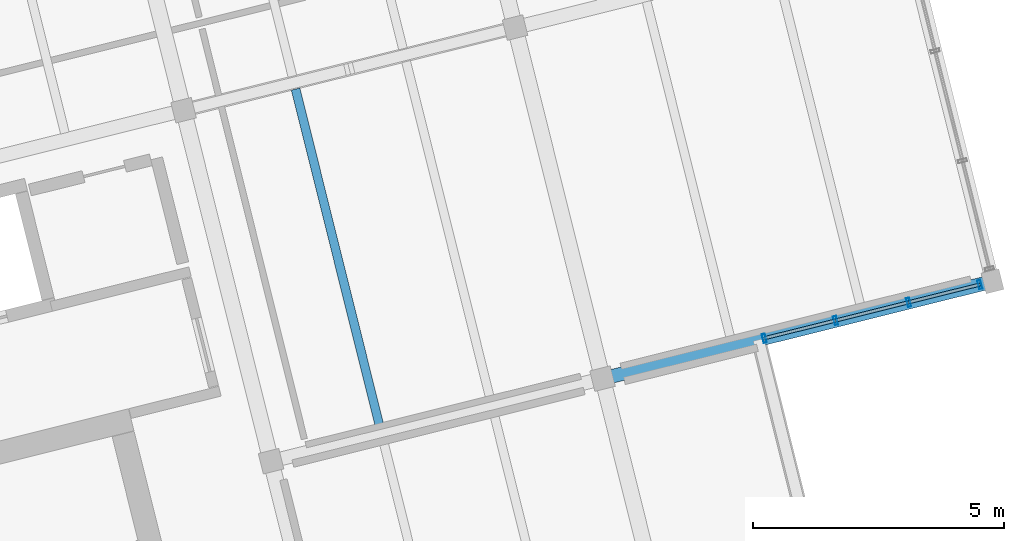
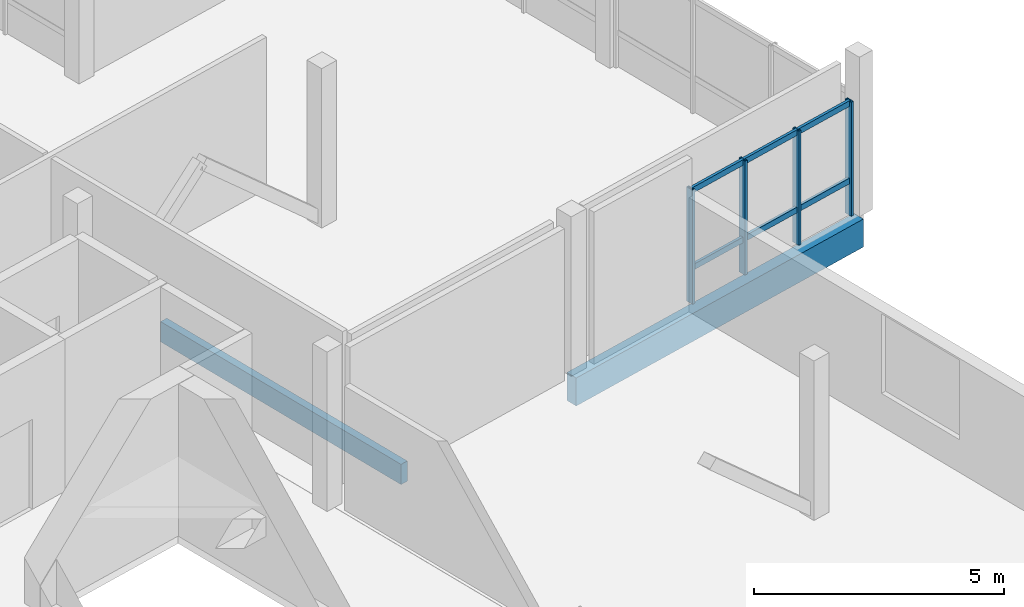
# One storey, part 13 of 27: 10 members, 2 beams, 1 element without a shape of its own.
"""IFC4 building model written with IfcOpenShell, lengths in metres."""

import ifcopenshell
import ifcopenshell.guid

model = None  # the IFC model being written
_history = None  # IfcOwnerHistory: only IFC2X3 demands one
_inside = {}  # id of a spatial element -> (the spatial element, [elements in it])
_under = {}  # id of a project, library or spatial element -> (it, [spatial elements below it])
_declared = {}  # id of a project -> (the project, [libraries it declares])
_typed = {}  # id of a type object -> (the type object, [elements of that type])
_made_of = {}  # id of a material, layer set ... -> (it, [elements and type objects made of it])


def new_model(schema):
    """Start an empty IFC model of exactly this schema.

    Asked for "IFC4X3", IfcOpenShell would pick the latest addendum, in which some entities
    have other attributes; the version numbers below select the first issue.
    IFC2X3 requires an IfcOwnerHistory on every rooted entity: one is made here for all.
    """
    global model, _history
    if schema == "IFC4X3":
        model = ifcopenshell.file(schema_version=(4, 3, 0, 0))
    else:
        model = ifcopenshell.file(schema=schema)
    _inside.clear()
    _under.clear()
    _declared.clear()
    _typed.clear()
    _made_of.clear()
    _history = None
    if model.schema == "IFC2X3":
        org = make("IfcOrganization", Name="unknown")
        user = make(
            "IfcPersonAndOrganization",
            ThePerson=make("IfcPerson", FamilyName="unknown"),
            TheOrganization=org,
        )
        app = make(
            "IfcApplication",
            ApplicationDeveloper=org,
            Version="unknown",
            ApplicationFullName="unknown",
            ApplicationIdentifier="unknown",
        )
        _history = make(
            "IfcOwnerHistory",
            OwningUser=user,
            OwningApplication=app,
            ChangeAction="ADDED",
            CreationDate=0,
        )
    return model


def make(cls, **values):
    """One entity of the class cls with the attributes given. An attribute that is None is left unset."""
    return model.create_entity(
        cls, **{name: value for name, value in values.items() if value is not None}
    )


def rooted(cls, **values):
    """An entity with a GlobalId (a new one), such as an element, a storey or a relation."""
    return make(cls, GlobalId=ifcopenshell.guid.new(), OwnerHistory=_history, **values)


def si_unit(unit_type, name, prefix=None):
    """IfcSIUnit, for example si_unit("LENGTHUNIT", "METRE", prefix="MILLI")."""
    return make("IfcSIUnit", UnitType=unit_type, Prefix=prefix, Name=name)


def assignment(units):
    """IfcUnitAssignment: the units of a project."""
    return None if units is None else make("IfcUnitAssignment", Units=units)


def point(xyz):
    """IfcCartesianPoint."""
    return None if xyz is None else make("IfcCartesianPoint", Coordinates=xyz)


def direction(xyz):
    """IfcDirection."""
    return None if xyz is None else make("IfcDirection", DirectionRatios=xyz)


def frame(location, z_axis=None, x_axis=None):
    """IfcAxis2Placement3D, a coordinate frame: its origin and axes. An axis left out is left unset."""
    return make(
        "IfcAxis2Placement3D",
        Location=point(location),
        Axis=direction(z_axis),
        RefDirection=direction(x_axis),
    )


def frame_2d(location, x_axis=None):
    """IfcAxis2Placement2D, a coordinate frame in the plane: its origin and x axis."""
    return make(
        "IfcAxis2Placement2D", Location=point(location), RefDirection=direction(x_axis)
    )


def origin():
    """The frame at (0, 0, 0) with its axes left unset."""
    return frame((0.0, 0.0, 0.0))


def origin_2d():
    """The frame at (0, 0) in the plane with its x axis left unset."""
    return frame_2d((0.0, 0.0))


def place(relative_to, where):
    """IfcLocalPlacement: puts the frame where relative to a parent placement (None: the world)."""
    return make(
        "IfcLocalPlacement", PlacementRelTo=relative_to, RelativePlacement=where
    )


def context(
    kind, dimensions, precision=None, world=None, true_north=None, identifier=None
):
    """IfcGeometricRepresentationContext, for example the 3D "Model" context."""
    return make(
        "IfcGeometricRepresentationContext",
        ContextIdentifier=identifier,
        ContextType=kind,
        CoordinateSpaceDimension=dimensions,
        Precision=precision,
        WorldCoordinateSystem=world,
        TrueNorth=true_north,
    )


def subcontext(parent, identifier, kind, view, scale=None):
    """IfcGeometricRepresentationSubContext, for example "Body" below "Model"."""
    return make(
        "IfcGeometricRepresentationSubContext",
        ContextIdentifier=identifier,
        ContextType=kind,
        ParentContext=parent,
        TargetScale=scale,
        TargetView=view,
    )


def project(units=None, contexts=None):
    """IfcProject with its units and contexts."""
    return rooted(
        "IfcProject",
        Name="project",
        RepresentationContexts=contexts,
        UnitsInContext=assignment(units),
    )


def spatial(cls, under=None, at=None, **own):
    """A site, building, storey or space (cls), placed at a placement, below another one or the project."""
    s = rooted(cls, ObjectPlacement=at, **own)
    if under is not None:
        _under.setdefault(under.id(), (under, []))[1].append(s)
    return s


def profile(cls, at=None, kind="AREA", **sizes):
    """A parametric profile (cls). Its sizes go by their IFC names, for example OverallWidth=200.0."""
    return make(cls, ProfileType=kind, Position=at, **sizes)


def rectangle(**sizes):
    """IfcRectangleProfileDef."""
    return profile("IfcRectangleProfileDef", **sizes)


def hollow_rectangle(**sizes):
    """IfcRectangleHollowProfileDef."""
    return profile("IfcRectangleHollowProfileDef", **sizes)


def extrude(swept, where, along, depth):
    """IfcExtrudedAreaSolid: the profile swept, set in the frame where, extruded along a direction by depth."""
    return make(
        "IfcExtrudedAreaSolid",
        SweptArea=swept,
        Position=where,
        ExtrudedDirection=direction(along),
        Depth=depth,
    )


def shape(context_of_items, identifier, shape_type, items):
    """IfcShapeRepresentation: the items that make up one representation, for example the "Body"."""
    return make(
        "IfcShapeRepresentation",
        ContextOfItems=context_of_items,
        RepresentationIdentifier=identifier,
        RepresentationType=shape_type,
        Items=items,
    )


def material(Name=None, Category=None):
    """IfcMaterial."""
    return make("IfcMaterial", Name=Name, Category=Category)


def layer(
    of_material, thickness, ventilated=None, Name=None, Category=None, Priority=None
):
    """IfcMaterialLayer: one layer of a wall or slab, of a material (None: an air gap)."""
    return make(
        "IfcMaterialLayer",
        Material=of_material,
        LayerThickness=thickness,
        IsVentilated=ventilated,
        Name=Name,
        Category=Category,
        Priority=Priority,
    )


def layer_set(layers, Name=None):
    """IfcMaterialLayerSet."""
    return make("IfcMaterialLayerSet", MaterialLayers=layers, LayerSetName=Name)


def material_profile(
    of_material, cross_section, Name=None, Category=None, Priority=None
):
    """IfcMaterialProfile: a cross section and its material."""
    return make(
        "IfcMaterialProfile",
        Name=Name,
        Material=of_material,
        Profile=cross_section,
        Priority=Priority,
        Category=Category,
    )


def profile_set(profiles, Name=None, composite=None):
    """IfcMaterialProfileSet."""
    return make(
        "IfcMaterialProfileSet",
        Name=Name,
        MaterialProfiles=profiles,
        CompositeProfile=composite,
    )


def made_of(thing, what):
    """Note that an element or type object is made of a material, layer set ...; save() writes the relation."""
    if what is not None:
        _made_of.setdefault(what.id(), (what, []))[1].append(thing)
    return thing


def type_object(cls, material=None, **own):
    """A type object (cls), such as IfcWallType, which elements share."""
    return made_of(rooted(cls, **own), material)


def element(
    cls,
    number,
    at=None,
    inside=None,
    cuts=None,
    type_object=None,
    material=None,
    context=None,
    identifier="Body",
    shape_type=None,
    held_by="IfcProductDefinitionShape",
    body=None,
    shapes=None,
    **own,
):
    """One element of the class cls, such as IfcWall. Its Tag is "e" and its number.

    at: its placement. inside: the storey or other place that contains it. cuts: it is an
    opening in that element (IfcRelVoidsElement). A single representation is given by context,
    identifier, shape_type and body (its items); several are given by shapes. held_by: the class
    of the entity that holds the representations. save() writes the other relations.
    """
    e = rooted(cls, Tag="e%d" % number, ObjectPlacement=at, **own)
    if body is not None:
        shapes = [shape(context, identifier, shape_type, body)]
    if shapes is not None:
        e.Representation = make(held_by, Representations=shapes)
    if inside is not None:
        _inside.setdefault(inside.id(), (inside, []))[1].append(e)
    if cuts is not None:
        rooted(
            "IfcRelVoidsElement", RelatingBuildingElement=cuts, RelatedOpeningElement=e
        )
    if type_object is not None:
        _typed.setdefault(type_object.id(), (type_object, []))[1].append(e)
    return made_of(e, material)


def aggregate(whole, parts):
    """IfcRelAggregates: a whole, such as a stair, and the parts it consists of."""
    return rooted("IfcRelAggregates", RelatingObject=whole, RelatedObjects=parts)


def save(model, path):
    """Write the relations noted so far, then the file.

    IfcRelAggregates (storeys below a building ...), IfcRelContainedInSpatialStructure (elements
    in a storey), IfcRelDefinesByType, IfcRelAssociatesMaterial and IfcRelDeclares: one each for
    every whole, place, type object, material and project.
    """
    for whole, parts in _under.values():
        aggregate(whole, parts)
    for where, things in _inside.values():
        rooted(
            "IfcRelContainedInSpatialStructure",
            RelatedElements=things,
            RelatingStructure=where,
        )
    for kind, things in _typed.values():
        rooted("IfcRelDefinesByType", RelatedObjects=things, RelatingType=kind)
    for what, things in _made_of.values():
        rooted("IfcRelAssociatesMaterial", RelatedObjects=things, RelatingMaterial=what)
    for by, libraries in _declared.values():
        rooted("IfcRelDeclares", RelatingContext=by, RelatedDefinitions=libraries)
    model.write(path)


model = new_model("IFC4")

# Units and contexts
model_context = context("Model", 3, precision=1e-05, world=origin(), true_north=direction((0.0, 1.0)))
body_context = subcontext(model_context, "Body", "Model", "MODEL_VIEW")
ifc_project = project(units=[si_unit("LENGTHUNIT", "METRE"), si_unit("AREAUNIT", "SQUARE_METRE"), si_unit("VOLUMEUNIT", "CUBIC_METRE"), si_unit("PLANEANGLEUNIT", "RADIAN"), si_unit("MASSUNIT", "GRAM", prefix="KILO")], contexts=[model_context])

# Site, building, storey
site_placement = place(None, origin())
site = spatial("IfcSite", under=ifc_project, at=site_placement, CompositionType="ELEMENT")
building_placement = place(site_placement, origin())
building = spatial("IfcBuilding", under=site, at=building_placement, Name="Meriwether Solvik Hall", CompositionType="ELEMENT")
storey_placement = place(building_placement, frame((0.0, 0.0, 33.89990234375)))
storey = spatial("IfcBuildingStorey", under=building, at=storey_placement, Name="L08", CompositionType="ELEMENT", Elevation=33.89990234375)

# Beam
ifc_material_1 = material(Name="Glulam Douglas-Fir 24F-V8 GL28h", Category="wood")
ifc_material_profile_1 = material_profile(ifc_material_1, rectangle(XDim=0.27294921875, YDim=0.68505859375, at=origin_2d()), Name="GLB-273X685")
ifc_profile_set_1 = profile_set([ifc_material_profile_1], Name="Glulam Douglas-Fir 24F-V8 GL28h")
beam_type_1 = type_object("IfcBeamType", Name="BM-GL-273X685", PredefinedType="BEAM", material=ifc_profile_set_1)
beam_1_placement = place(storey_placement, frame((100.192138671875, 63.29931640625, -0.5224609375), z_axis=(0.970298475929, 0.241910867076, 0.0), x_axis=(-0.241910867076, 0.970298475929, 0.0)))
element("IfcBeam", 1, at=beam_1_placement, inside=storey, type_object=beam_type_1, Name="Tower Girder TC:T6-T7 (L08)", PredefinedType="BEAM", context=body_context, shape_type="SweptSolid", body=[
    extrude(rectangle(XDim=0.27294921875, YDim=0.68505859375, at=origin_2d()), origin(), (0.0, 0.0, 1.0), 8.0),
])

# Curtain wall, members
ifc_material_2 = material(Name="Thermally Broken Anodised Aluminium 6063-T6 and Low-E Glass", Category="aluminium")
ifc_layer = layer(ifc_material_2, 0.179931640625)
ifc_layer_set = layer_set([ifc_layer], Name="Thermally Broken Anodised Aluminium 6063-T6 and Low-E Glass")
curtain_wall_type = type_object("IfcCurtainWallType", Name="CW-UNIT-A", PredefinedType="USERDEFINED", material=ifc_layer_set)
curtain_wall_placement = place(storey_placement, origin())
curtain_wall = element("IfcCurtainWall", 2, at=curtain_wall_placement, inside=storey, type_object=curtain_wall_type, Name="Curtain Wall E2_B0 (L08)", ObjectType="UNITISED CURTAIN WALL", PredefinedType="USERDEFINED")
ifc_material_3 = material(Name="Anodised Aluminium 6063-T6", Category="aluminium")
ifc_material_profile_2 = material_profile(ifc_material_3, hollow_rectangle(XDim=0.06494140625, YDim=0.179931640625, WallThickness=0.00439453125, at=origin_2d()), Name="CWM-65X180")
ifc_profile_set_2 = profile_set([ifc_material_profile_2], Name="Anodised Aluminium 6063-T6")
member_type_1 = type_object("IfcMemberType", Name="CW-MUL-65X180", PredefinedType="MULLION", material=ifc_profile_set_2)
member_1_placement = place(storey_placement, frame((107.7021484375, 65.171630859375, 0.0), z_axis=(0.0, 0.0, 1.0), x_axis=(-0.970295707609, -0.241921970469, 0.0)))
member_1 = element("IfcMember", 3, at=member_1_placement, type_object=member_type_1, Name="Curtain Wall Mullion 1", PredefinedType="MULLION", context=body_context, shape_type="SweptSolid", body=[
    extrude(hollow_rectangle(XDim=0.06494140625, YDim=0.179931640625, WallThickness=0.00439453125, at=origin_2d()), origin(), (0.0, 0.0, 1.0), 2.7900390625),
])
member_2_placement = place(storey_placement, frame((106.2841796875, 64.818115234375, 0.0), z_axis=(0.0, 0.0, 1.0), x_axis=(-0.970295707609, -0.241921970469, 0.0)))
member_2 = element("IfcMember", 4, at=member_2_placement, type_object=member_type_1, Name="Curtain Wall Mullion 2", PredefinedType="MULLION", context=body_context, shape_type="SweptSolid", body=[
    extrude(hollow_rectangle(XDim=0.06494140625, YDim=0.179931640625, WallThickness=0.00439453125, at=origin_2d()), origin(), (0.0, 0.0, 1.0), 2.7900390625),
])
member_3_placement = place(storey_placement, frame((104.82958984375, 64.45556640625, 0.0), z_axis=(0.0, 0.0, 1.0), x_axis=(-0.970295707609, -0.241921970469, 0.0)))
member_3 = element("IfcMember", 5, at=member_3_placement, type_object=member_type_1, Name="Curtain Wall Mullion 3", PredefinedType="MULLION", context=body_context, shape_type="SweptSolid", body=[
    extrude(hollow_rectangle(XDim=0.06494140625, YDim=0.179931640625, WallThickness=0.00439453125, at=origin_2d()), origin(), (0.0, 0.0, 1.0), 2.7900390625),
])
member_4_placement = place(storey_placement, frame((103.41162109375, 64.10205078125, 0.0), z_axis=(0.0, 0.0, 1.0), x_axis=(-0.970295707609, -0.241921970469, 0.0)))
member_4 = element("IfcMember", 6, at=member_4_placement, type_object=member_type_1, Name="Curtain Wall Mullion 4", PredefinedType="MULLION", context=body_context, shape_type="SweptSolid", body=[
    extrude(hollow_rectangle(XDim=0.06494140625, YDim=0.179931640625, WallThickness=0.00439453125, at=origin_2d()), origin(), (0.0, 0.0, 1.0), 2.7900390625),
])
ifc_material_4 = material(Name="Anodised Aluminium 6063-T6", Category="aluminium")
ifc_material_profile_3 = material_profile(ifc_material_4, hollow_rectangle(XDim=0.06494140625, YDim=0.139892578125, WallThickness=0.00439453125, at=origin_2d()), Name="CWT-65X140")
ifc_profile_set_3 = profile_set([ifc_material_profile_3], Name="Anodised Aluminium 6063-T6")
member_type_2 = type_object("IfcMemberType", Name="CW-TRN-65X140", PredefinedType="USERDEFINED", material=ifc_profile_set_3)
member_5_placement = place(storey_placement, frame((107.7021484375, 65.171630859375, 0.837158203125), z_axis=(-0.970299531655, -0.241906632548, 0.0), x_axis=(0.241906632548, -0.970299531655, 0.0)))
member_5 = element("IfcMember", 7, at=member_5_placement, type_object=member_type_2, Name="Curtain Wall Transom 1-sill", ObjectType="TRANSOM", PredefinedType="USERDEFINED", context=body_context, shape_type="SweptSolid", body=[
    extrude(hollow_rectangle(XDim=0.06494140625, YDim=0.139892578125, WallThickness=0.00439453125, at=origin_2d()), origin(), (0.0, 0.0, 1.0), 1.46142578125),
])
member_6_placement = place(storey_placement, frame((107.7021484375, 65.171630859375, 2.72998046875), z_axis=(-0.970299531655, -0.241906632548, 0.0), x_axis=(0.241906632548, -0.970299531655, 0.0)))
member_6 = element("IfcMember", 8, at=member_6_placement, type_object=member_type_2, Name="Curtain Wall Transom 1-head", ObjectType="TRANSOM", PredefinedType="USERDEFINED", context=body_context, shape_type="SweptSolid", body=[
    extrude(hollow_rectangle(XDim=0.06494140625, YDim=0.139892578125, WallThickness=0.00439453125, at=origin_2d()), origin(), (0.0, 0.0, 1.0), 1.46142578125),
])
member_7_placement = place(storey_placement, frame((106.2841796875, 64.818115234375, 0.837158203125), z_axis=(-0.970314694021, -0.241845807422, 0.0), x_axis=(0.241845807422, -0.970314694021, 0.0)))
member_7 = element("IfcMember", 9, at=member_7_placement, type_object=member_type_2, Name="Curtain Wall Transom 2-sill", ObjectType="TRANSOM", PredefinedType="USERDEFINED", context=body_context, shape_type="SweptSolid", body=[
    extrude(hollow_rectangle(XDim=0.06494140625, YDim=0.139892578125, WallThickness=0.00439453125, at=origin_2d()), origin(), (0.0, 0.0, 1.0), 1.4990234375),
])
member_8_placement = place(storey_placement, frame((106.2841796875, 64.818115234375, 2.72998046875), z_axis=(-0.970314694021, -0.241845807422, 0.0), x_axis=(0.241845807422, -0.970314694021, 0.0)))
member_8 = element("IfcMember", 10, at=member_8_placement, type_object=member_type_2, Name="Curtain Wall Transom 2-head", ObjectType="TRANSOM", PredefinedType="USERDEFINED", context=body_context, shape_type="SweptSolid", body=[
    extrude(hollow_rectangle(XDim=0.06494140625, YDim=0.139892578125, WallThickness=0.00439453125, at=origin_2d()), origin(), (0.0, 0.0, 1.0), 1.4990234375),
])
member_9_placement = place(storey_placement, frame((104.82958984375, 64.45556640625, 0.837158203125), z_axis=(-0.970299531655, -0.241906632548, 0.0), x_axis=(0.241906632548, -0.970299531655, 0.0)))
member_9 = element("IfcMember", 11, at=member_9_placement, type_object=member_type_2, Name="Curtain Wall Transom 3-sill", ObjectType="TRANSOM", PredefinedType="USERDEFINED", context=body_context, shape_type="SweptSolid", body=[
    extrude(hollow_rectangle(XDim=0.06494140625, YDim=0.139892578125, WallThickness=0.00439453125, at=origin_2d()), origin(), (0.0, 0.0, 1.0), 1.46142578125),
])
member_10_placement = place(storey_placement, frame((104.82958984375, 64.45556640625, 2.72998046875), z_axis=(-0.970299531655, -0.241906632548, 0.0), x_axis=(0.241906632548, -0.970299531655, 0.0)))
member_10 = element("IfcMember", 12, at=member_10_placement, type_object=member_type_2, Name="Curtain Wall Transom 3-head", ObjectType="TRANSOM", PredefinedType="USERDEFINED", context=body_context, shape_type="SweptSolid", body=[
    extrude(hollow_rectangle(XDim=0.06494140625, YDim=0.139892578125, WallThickness=0.00439453125, at=origin_2d()), origin(), (0.0, 0.0, 1.0), 1.46142578125),
])
aggregate(curtain_wall, [member_1, member_2, member_3, member_4, member_5, member_6, member_7, member_8, member_9, member_10])

# Beam
ifc_material_5 = material(Name="Glulam Douglas-Fir 24F-V8 GL28h", Category="wood")
ifc_material_profile_4 = material_profile(ifc_material_5, rectangle(XDim=0.175048828125, YDim=0.4951171875, at=origin_2d()), Name="GLJ-175X495")
ifc_profile_set_4 = profile_set([ifc_material_profile_4], Name="Glulam Douglas-Fir 24F-V8 GL28h")
beam_type_2 = type_object("IfcBeamType", Name="JST-GL-175X495", PredefinedType="JOIST", material=ifc_profile_set_4)
beam_2_placement = place(storey_placement, frame((95.76171875, 62.330078125, -0.427490234375), z_axis=(-0.241922788949, 0.970295503539, 0.0), x_axis=(-0.970295503539, -0.241922788949, 0.0)))
element("IfcBeam", 13, at=beam_2_placement, inside=storey, type_object=beam_type_2, Name="Glulam Floor Joist T5/TC-J1 (L08)", PredefinedType="JOIST", context=body_context, shape_type="SweptSolid", body=[
    extrude(rectangle(XDim=0.175048828125, YDim=0.4951171875, at=origin_2d()), origin(), (0.0, 0.0, 1.0), 6.93701171875),
])

save(model, "model.ifc")
